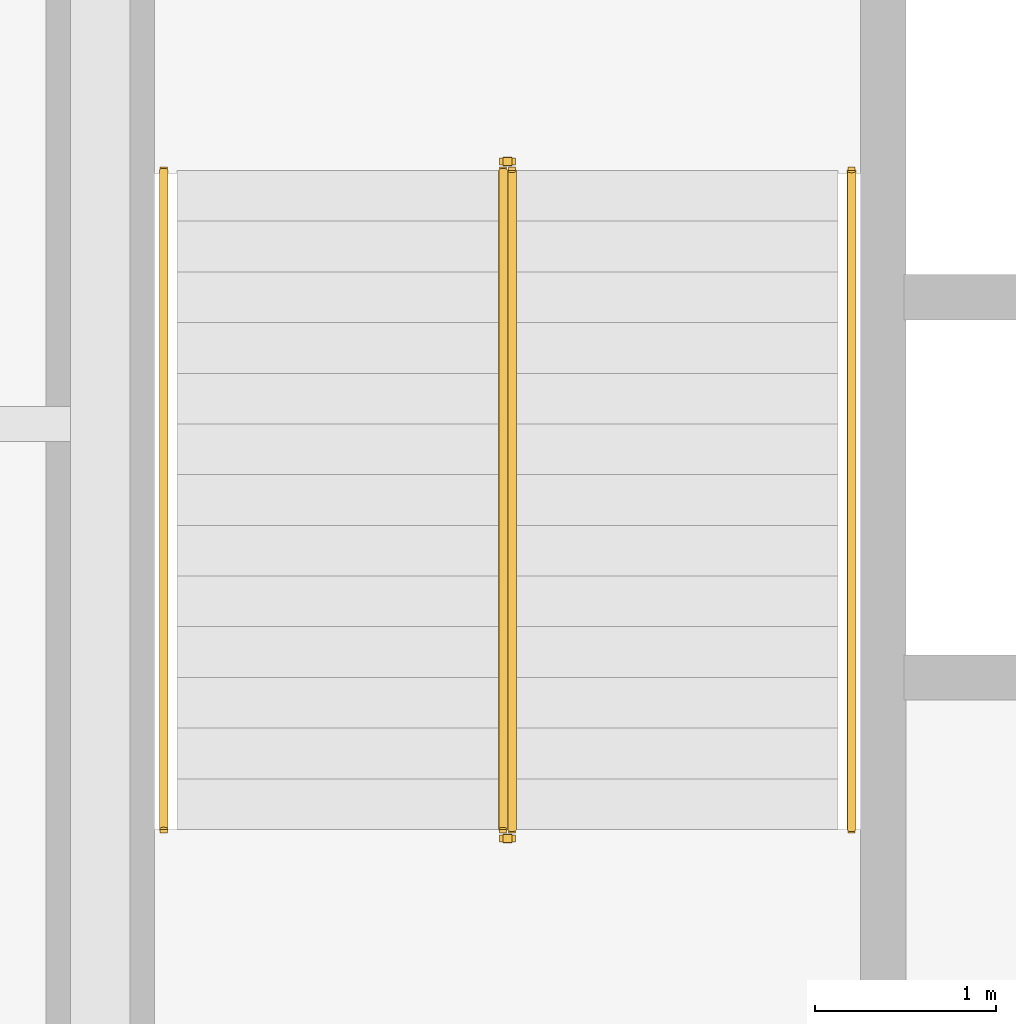
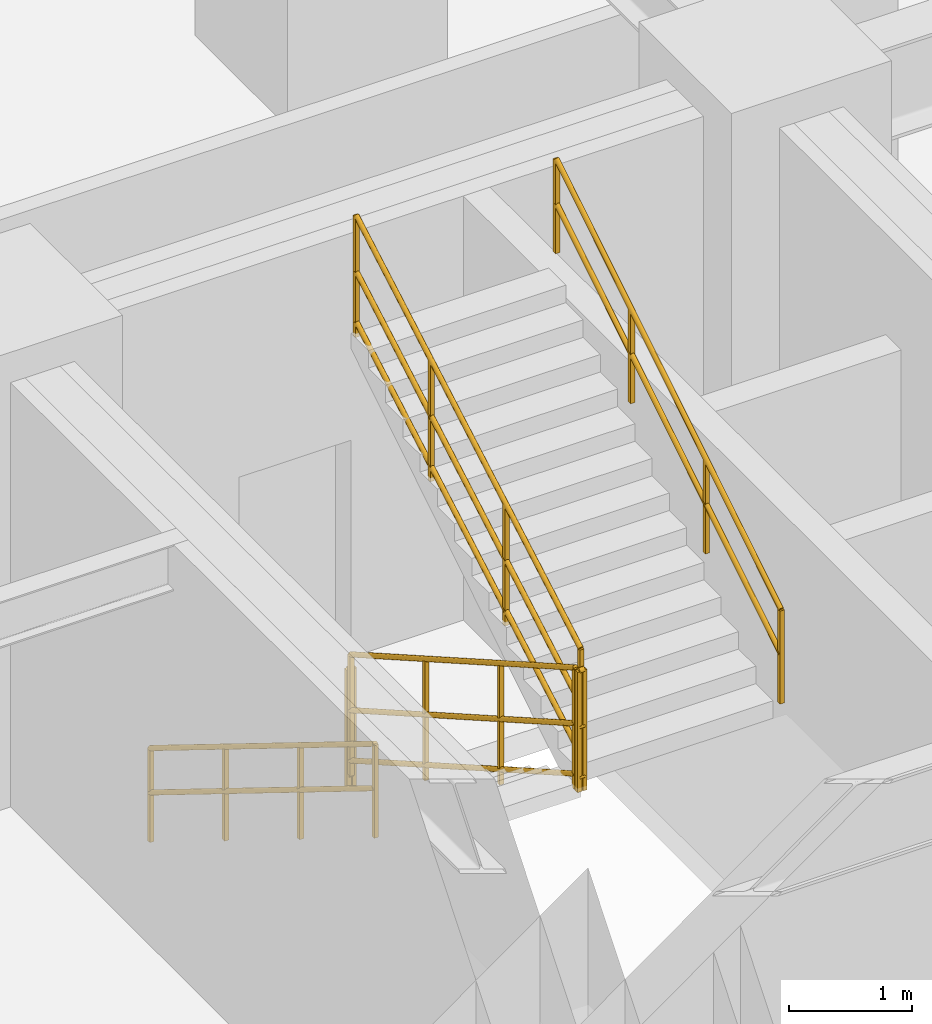
# One storey, part 14 of 14: 6 railings.
"""IFC4 building model written with IfcOpenShell, lengths in metres."""

from ifc_helpers import new_model, entity, si_unit, converted_unit, direction, frame, origin_with_axes, origin_2d_with_axis, place, context, subcontext, project, spatial, rectangle, circle, extrude, material, type_object, element, save


model = new_model("IFC4")

# Units and contexts
model_context = context("Model", 3, precision=1e-05, world=origin_with_axes(), true_north=direction((0.0, 1.0)))
body_context = subcontext(model_context, "Body", "Model", "MODEL_VIEW")
ifc_project = project(units=[si_unit("LENGTHUNIT", "METRE"), si_unit("AREAUNIT", "SQUARE_METRE"), si_unit("VOLUMEUNIT", "CUBIC_METRE"), converted_unit("PLANEANGLEUNIT", "DEGREE", entity("IfcPlaneAngleMeasure", 0.017453292519943295), si_unit("PLANEANGLEUNIT", "RADIAN"), dimensions=[0, 0, 0, 0, 0, 0, 0]), si_unit("MASSUNIT", "GRAM", prefix="KILO"), si_unit("THERMODYNAMICTEMPERATUREUNIT", "KELVIN")], contexts=[model_context])

# Site, building, storey
site_placement = place(None, origin_with_axes())
site = spatial("IfcSite", under=ifc_project, at=site_placement, CompositionType="ELEMENT")
building_placement = place(site_placement, origin_with_axes())
building = spatial("IfcBuilding", under=site, at=building_placement, Name="Varnlund Millrace Tower", CompositionType="ELEMENT")
storey_placement = place(building_placement, frame((0.0, 0.0, 24.3), z_axis=(0.0, 0.0, 1.0), x_axis=(1.0, 0.0, 0.0)))
storey = spatial("IfcBuildingStorey", under=building, at=storey_placement, Name="L05", CompositionType="ELEMENT", Elevation=24.3)

# Railings
ifc_material_1 = material(Name="Painted steel stair well balustrade guard", Category="steel")
railing_type_1 = type_object("IfcRailingType", Name="Type-StairGuard-1150", PredefinedType="GUARDRAIL", material=ifc_material_1)
railing_1_placement = place(storey_placement, frame((0.0, 0.0, -24.3), z_axis=(0.0, 0.0, 1.0), x_axis=(1.0, 0.0, 0.0)))
element("IfcRailing", 1, at=railing_1_placement, inside=storey, type_object=railing_type_1, Name="Type-StairGuard-1150", PredefinedType="GUARDRAIL", context=body_context, shape_type="SweptSolid", body=[
    extrude(circle(Radius=0.024, at=origin_2d_with_axis()), frame((13.625, 35.9, 25.623077), z_axis=(0.0, -0.868559, 0.495585), x_axis=(1.0, 0.0, 0.0)), (0.0, 0.0, 1.0), 4.190848),
    extrude(circle(Radius=0.024, at=origin_2d_with_axis()), frame((13.625, 35.9, 24.573077), z_axis=(0.0, -0.868559, 0.495585), x_axis=(1.0, 0.0, 0.0)), (0.0, 0.0, 1.0), 4.190848),
    extrude(circle(Radius=0.024, at=origin_2d_with_axis()), frame((13.625, 35.9, 25.071077), z_axis=(0.0, -0.868559, 0.495585), x_axis=(1.0, 0.0, 0.0)), (0.0, 0.0, 1.0), 4.190848),
    extrude(rectangle(XDim=0.04, YDim=0.04, at=origin_2d_with_axis()), frame((13.625, 35.9, 24.433077), z_axis=(0.0, 0.0, 1.0), x_axis=(1.0, 0.0, 0.0)), (0.0, 0.0, 1.0), 1.19),
    extrude(rectangle(XDim=0.04, YDim=0.04, at=origin_2d_with_axis()), frame((13.625, 34.686667, 25.125385), z_axis=(0.0, 0.0, 1.0), x_axis=(1.0, 0.0, 0.0)), (0.0, 0.0, 1.0), 1.19),
    extrude(rectangle(XDim=0.04, YDim=0.04, at=origin_2d_with_axis()), frame((13.625, 33.473333, 25.817692), z_axis=(0.0, 0.0, 1.0), x_axis=(1.0, 0.0, 0.0)), (0.0, 0.0, 1.0), 1.19),
    extrude(rectangle(XDim=0.04, YDim=0.04, at=origin_2d_with_axis()), frame((13.625, 32.26, 26.51), z_axis=(0.0, 0.0, 1.0), x_axis=(1.0, 0.0, 0.0)), (0.0, 0.0, 1.0), 1.19),
])
railing_2_placement = place(storey_placement, frame((0.0, 0.0, -24.3), z_axis=(0.0, 0.0, 1.0), x_axis=(1.0, 0.0, 0.0)))
element("IfcRailing", 2, at=railing_2_placement, inside=storey, type_object=railing_type_1, Name="Type-StairGuard-1150", PredefinedType="GUARDRAIL", context=body_context, shape_type="SweptSolid", body=[
    extrude(circle(Radius=0.024, at=origin_2d_with_axis()), frame((13.675, 32.21, 27.7), z_axis=(-1.0, 0.0, 0.0), x_axis=(0.0, -1.0, 0.0)), (0.0, 0.0, 1.0), 0.05),
    extrude(circle(Radius=0.024, at=origin_2d_with_axis()), frame((13.675, 32.21, 26.65), z_axis=(-1.0, 0.0, 0.0), x_axis=(0.0, -1.0, 0.0)), (0.0, 0.0, 1.0), 0.05),
    extrude(circle(Radius=0.024, at=origin_2d_with_axis()), frame((13.675, 32.21, 27.148), z_axis=(-1.0, 0.0, 0.0), x_axis=(0.0, -1.0, 0.0)), (0.0, 0.0, 1.0), 0.05),
    extrude(rectangle(XDim=0.04, YDim=0.04, at=origin_2d_with_axis()), frame((13.675, 32.21, 26.51), z_axis=(0.0, 0.0, 1.0), x_axis=(1.0, 0.0, 0.0)), (0.0, 0.0, 1.0), 1.19),
    extrude(rectangle(XDim=0.04, YDim=0.04, at=origin_2d_with_axis()), frame((13.625, 32.21, 26.51), z_axis=(0.0, 0.0, 1.0), x_axis=(1.0, 0.0, 0.0)), (0.0, 0.0, 1.0), 1.19),
])
railing_3_placement = place(storey_placement, frame((0.0, 0.0, -24.3), z_axis=(0.0, 0.0, 1.0), x_axis=(1.0, 0.0, 0.0)))
element("IfcRailing", 3, at=railing_3_placement, inside=storey, type_object=railing_type_1, Name="Type-StairGuard-1150", PredefinedType="GUARDRAIL", context=body_context, shape_type="SweptSolid", body=[
    extrude(circle(Radius=0.024, at=origin_2d_with_axis()), frame((13.675, 32.26, 27.873077), z_axis=(0.0, 0.868559, 0.495585), x_axis=(-1.0, 0.0, 0.0)), (0.0, 0.0, 1.0), 4.190848),
    extrude(circle(Radius=0.024, at=origin_2d_with_axis()), frame((13.675, 32.26, 26.823077), z_axis=(0.0, 0.868559, 0.495585), x_axis=(-1.0, 0.0, 0.0)), (0.0, 0.0, 1.0), 4.190848),
    extrude(circle(Radius=0.024, at=origin_2d_with_axis()), frame((13.675, 32.26, 27.321077), z_axis=(0.0, 0.868559, 0.495585), x_axis=(-1.0, 0.0, 0.0)), (0.0, 0.0, 1.0), 4.190848),
    extrude(rectangle(XDim=0.04, YDim=0.04, at=origin_2d_with_axis()), frame((13.675, 32.26, 26.683077), z_axis=(0.0, 0.0, 1.0), x_axis=(1.0, 0.0, 0.0)), (0.0, 0.0, 1.0), 1.19),
    extrude(rectangle(XDim=0.04, YDim=0.04, at=origin_2d_with_axis()), frame((13.675, 33.473333, 27.375385), z_axis=(0.0, 0.0, 1.0), x_axis=(1.0, 0.0, 0.0)), (0.0, 0.0, 1.0), 1.19),
    extrude(rectangle(XDim=0.04, YDim=0.04, at=origin_2d_with_axis()), frame((13.675, 34.686667, 28.067692), z_axis=(0.0, 0.0, 1.0), x_axis=(1.0, 0.0, 0.0)), (0.0, 0.0, 1.0), 1.19),
    extrude(rectangle(XDim=0.04, YDim=0.04, at=origin_2d_with_axis()), frame((13.675, 35.9, 28.76), z_axis=(0.0, 0.0, 1.0), x_axis=(1.0, 0.0, 0.0)), (0.0, 0.0, 1.0), 1.19),
])
railing_4_placement = place(storey_placement, frame((0.0, 0.0, -24.3), z_axis=(0.0, 0.0, 1.0), x_axis=(1.0, 0.0, 0.0)))
element("IfcRailing", 4, at=railing_4_placement, inside=storey, type_object=railing_type_1, Name="Type-StairGuard-1150", PredefinedType="GUARDRAIL", context=body_context, shape_type="SweptSolid", body=[
    extrude(circle(Radius=0.024, at=origin_2d_with_axis()), frame((13.675, 35.95, 25.45), z_axis=(-1.0, 0.0, 0.0), x_axis=(0.0, -1.0, 0.0)), (0.0, 0.0, 1.0), 0.05),
    extrude(circle(Radius=0.024, at=origin_2d_with_axis()), frame((13.675, 35.95, 24.4), z_axis=(-1.0, 0.0, 0.0), x_axis=(0.0, -1.0, 0.0)), (0.0, 0.0, 1.0), 0.05),
    extrude(circle(Radius=0.024, at=origin_2d_with_axis()), frame((13.675, 35.95, 24.898), z_axis=(-1.0, 0.0, 0.0), x_axis=(0.0, -1.0, 0.0)), (0.0, 0.0, 1.0), 0.05),
    extrude(rectangle(XDim=0.04, YDim=0.04, at=origin_2d_with_axis()), frame((13.675, 35.95, 24.26), z_axis=(0.0, 0.0, 1.0), x_axis=(1.0, 0.0, 0.0)), (0.0, 0.0, 1.0), 1.19),
    extrude(rectangle(XDim=0.04, YDim=0.04, at=origin_2d_with_axis()), frame((13.625, 35.95, 24.26), z_axis=(0.0, 0.0, 1.0), x_axis=(1.0, 0.0, 0.0)), (0.0, 0.0, 1.0), 1.19),
])
ifc_material_2 = material(Name="Brushed architectural bronze stair handrail", Category="aluminium")
railing_type_2 = type_object("IfcRailingType", Name="Type-StairHandrail-900", PredefinedType="HANDRAIL", material=ifc_material_2)
railing_5_placement = place(storey_placement, frame((0.0, 0.0, -24.3), z_axis=(0.0, 0.0, 1.0), x_axis=(1.0, 0.0, 0.0)))
element("IfcRailing", 5, at=railing_5_placement, inside=storey, type_object=railing_type_2, Name="Type-StairHandrail-900", PredefinedType="HANDRAIL", context=body_context, shape_type="SweptSolid", body=[
    extrude(circle(Radius=0.024, at=origin_2d_with_axis()), frame((11.75, 35.9, 25.352662), z_axis=(0.0, -0.850614, 0.525791), x_axis=(1.0, 0.0, 0.0)), (0.0, 0.0, 1.0), 4.279264),
    extrude(circle(Radius=0.024, at=origin_2d_with_axis()), frame((11.75, 35.9, 24.91287), z_axis=(0.0, -0.850614, 0.525791), x_axis=(1.0, 0.0, 0.0)), (0.0, 0.0, 1.0), 4.279264),
    extrude(rectangle(XDim=0.04, YDim=0.04, at=origin_2d_with_axis()), frame((11.75, 35.9, 24.433077), z_axis=(0.0, 0.0, 1.0), x_axis=(1.0, 0.0, 0.0)), (0.0, 0.0, 1.0), 0.919585),
    extrude(rectangle(XDim=0.04, YDim=0.04, at=origin_2d_with_axis()), frame((11.75, 34.686667, 25.183077), z_axis=(0.0, 0.0, 1.0), x_axis=(1.0, 0.0, 0.0)), (0.0, 0.0, 1.0), 0.919585),
    extrude(rectangle(XDim=0.04, YDim=0.04, at=origin_2d_with_axis()), frame((11.75, 33.473333, 25.933077), z_axis=(0.0, 0.0, 1.0), x_axis=(1.0, 0.0, 0.0)), (0.0, 0.0, 1.0), 0.919585),
    extrude(rectangle(XDim=0.04, YDim=0.04, at=origin_2d_with_axis()), frame((11.75, 32.26, 26.683077), z_axis=(0.0, 0.0, 1.0), x_axis=(1.0, 0.0, 0.0)), (0.0, 0.0, 1.0), 0.919585),
])
railing_6_placement = place(storey_placement, frame((0.0, 0.0, -24.3), z_axis=(0.0, 0.0, 1.0), x_axis=(1.0, 0.0, 0.0)))
element("IfcRailing", 6, at=railing_6_placement, inside=storey, type_object=railing_type_2, Name="Type-StairHandrail-900", PredefinedType="HANDRAIL", context=body_context, shape_type="SweptSolid", body=[
    extrude(circle(Radius=0.024, at=origin_2d_with_axis()), frame((15.55, 32.26, 27.602662), z_axis=(0.0, 0.850614, 0.525791), x_axis=(-1.0, 0.0, 0.0)), (0.0, 0.0, 1.0), 4.279264),
    extrude(circle(Radius=0.024, at=origin_2d_with_axis()), frame((15.55, 32.26, 27.16287), z_axis=(0.0, 0.850614, 0.525791), x_axis=(-1.0, 0.0, 0.0)), (0.0, 0.0, 1.0), 4.279264),
    extrude(rectangle(XDim=0.04, YDim=0.04, at=origin_2d_with_axis()), frame((15.55, 32.26, 26.683077), z_axis=(0.0, 0.0, 1.0), x_axis=(1.0, 0.0, 0.0)), (0.0, 0.0, 1.0), 0.919585),
    extrude(rectangle(XDim=0.04, YDim=0.04, at=origin_2d_with_axis()), frame((15.55, 33.473333, 27.433077), z_axis=(0.0, 0.0, 1.0), x_axis=(1.0, 0.0, 0.0)), (0.0, 0.0, 1.0), 0.919585),
    extrude(rectangle(XDim=0.04, YDim=0.04, at=origin_2d_with_axis()), frame((15.55, 34.686667, 28.183077), z_axis=(0.0, 0.0, 1.0), x_axis=(1.0, 0.0, 0.0)), (0.0, 0.0, 1.0), 0.919585),
    extrude(rectangle(XDim=0.04, YDim=0.04, at=origin_2d_with_axis()), frame((15.55, 35.9, 28.933077), z_axis=(0.0, 0.0, 1.0), x_axis=(1.0, 0.0, 0.0)), (0.0, 0.0, 1.0), 0.919585),
])

save(model, "model.ifc")
